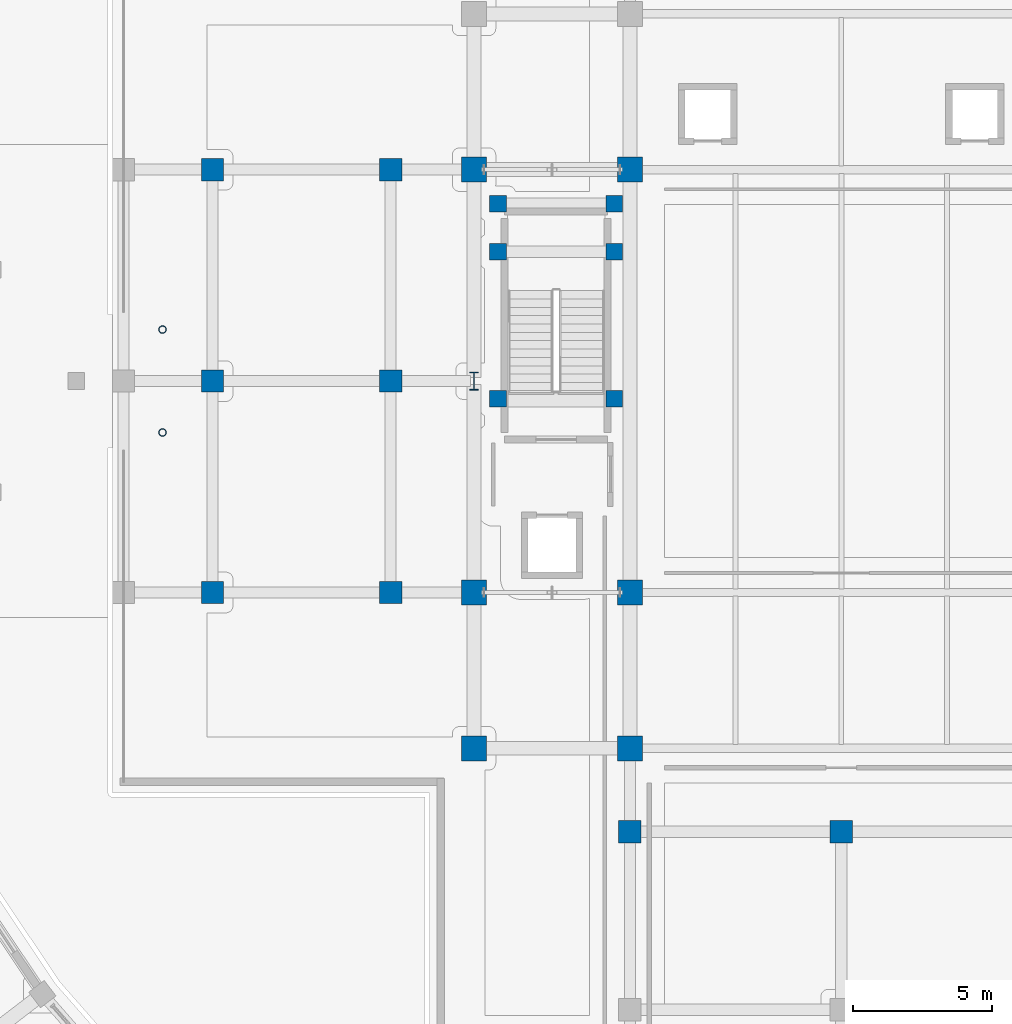
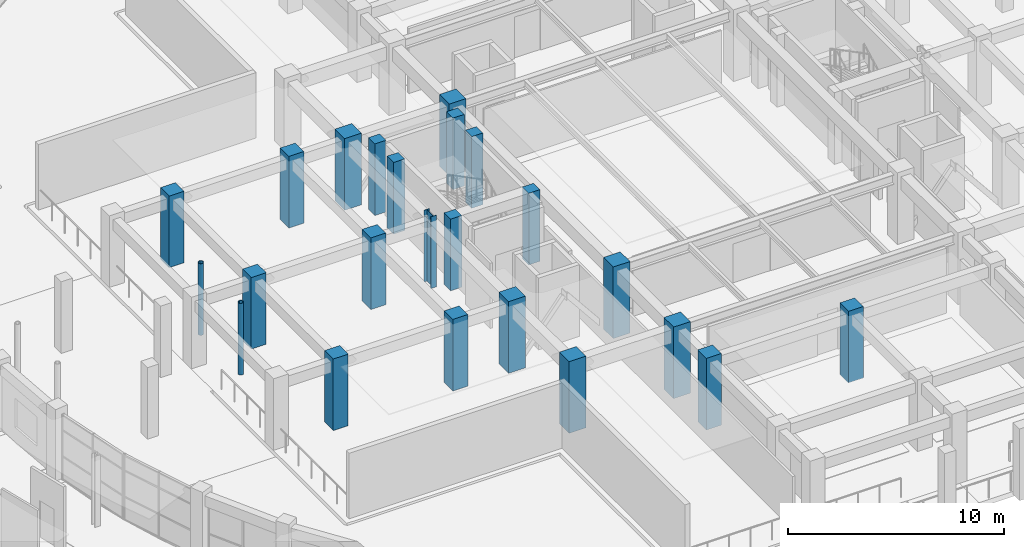
# One storey, part 5 of 87: 23 columns.
"""IFC4 building model written with IfcOpenShell, lengths in metres."""

import ifcopenshell
import ifcopenshell.guid

model = None  # the IFC model being written
_history = None  # IfcOwnerHistory: only IFC2X3 demands one
_inside = {}  # id of a spatial element -> (the spatial element, [elements in it])
_under = {}  # id of a project, library or spatial element -> (it, [spatial elements below it])
_declared = {}  # id of a project -> (the project, [libraries it declares])
_typed = {}  # id of a type object -> (the type object, [elements of that type])
_made_of = {}  # id of a material, layer set ... -> (it, [elements and type objects made of it])


def new_model(schema):
    """Start an empty IFC model of exactly this schema.

    Asked for "IFC4X3", IfcOpenShell would pick the latest addendum, in which some entities
    have other attributes; the version numbers below select the first issue.
    IFC2X3 requires an IfcOwnerHistory on every rooted entity: one is made here for all.
    """
    global model, _history
    if schema == "IFC4X3":
        model = ifcopenshell.file(schema_version=(4, 3, 0, 0))
    else:
        model = ifcopenshell.file(schema=schema)
    _inside.clear()
    _under.clear()
    _declared.clear()
    _typed.clear()
    _made_of.clear()
    _history = None
    if model.schema == "IFC2X3":
        org = make("IfcOrganization", Name="unknown")
        user = make(
            "IfcPersonAndOrganization",
            ThePerson=make("IfcPerson", FamilyName="unknown"),
            TheOrganization=org,
        )
        app = make(
            "IfcApplication",
            ApplicationDeveloper=org,
            Version="unknown",
            ApplicationFullName="unknown",
            ApplicationIdentifier="unknown",
        )
        _history = make(
            "IfcOwnerHistory",
            OwningUser=user,
            OwningApplication=app,
            ChangeAction="ADDED",
            CreationDate=0,
        )
    return model


def make(cls, **values):
    """One entity of the class cls with the attributes given. An attribute that is None is left unset."""
    return model.create_entity(
        cls, **{name: value for name, value in values.items() if value is not None}
    )


def rooted(cls, **values):
    """An entity with a GlobalId (a new one), such as an element, a storey or a relation."""
    return make(cls, GlobalId=ifcopenshell.guid.new(), OwnerHistory=_history, **values)


def si_unit(unit_type, name, prefix=None):
    """IfcSIUnit, for example si_unit("LENGTHUNIT", "METRE", prefix="MILLI")."""
    return make("IfcSIUnit", UnitType=unit_type, Prefix=prefix, Name=name)


def assignment(units):
    """IfcUnitAssignment: the units of a project."""
    return None if units is None else make("IfcUnitAssignment", Units=units)


def point(xyz):
    """IfcCartesianPoint."""
    return None if xyz is None else make("IfcCartesianPoint", Coordinates=xyz)


def direction(xyz):
    """IfcDirection."""
    return None if xyz is None else make("IfcDirection", DirectionRatios=xyz)


def frame(location, z_axis=None, x_axis=None):
    """IfcAxis2Placement3D, a coordinate frame: its origin and axes. An axis left out is left unset."""
    return make(
        "IfcAxis2Placement3D",
        Location=point(location),
        Axis=direction(z_axis),
        RefDirection=direction(x_axis),
    )


def frame_2d(location, x_axis=None):
    """IfcAxis2Placement2D, a coordinate frame in the plane: its origin and x axis."""
    return make(
        "IfcAxis2Placement2D", Location=point(location), RefDirection=direction(x_axis)
    )


def origin():
    """The frame at (0, 0, 0) with its axes left unset."""
    return frame((0.0, 0.0, 0.0))


def origin_2d():
    """The frame at (0, 0) in the plane with its x axis left unset."""
    return frame_2d((0.0, 0.0))


def place(relative_to, where):
    """IfcLocalPlacement: puts the frame where relative to a parent placement (None: the world)."""
    return make(
        "IfcLocalPlacement", PlacementRelTo=relative_to, RelativePlacement=where
    )


def context(
    kind, dimensions, precision=None, world=None, true_north=None, identifier=None
):
    """IfcGeometricRepresentationContext, for example the 3D "Model" context."""
    return make(
        "IfcGeometricRepresentationContext",
        ContextIdentifier=identifier,
        ContextType=kind,
        CoordinateSpaceDimension=dimensions,
        Precision=precision,
        WorldCoordinateSystem=world,
        TrueNorth=true_north,
    )


def subcontext(parent, identifier, kind, view, scale=None):
    """IfcGeometricRepresentationSubContext, for example "Body" below "Model"."""
    return make(
        "IfcGeometricRepresentationSubContext",
        ContextIdentifier=identifier,
        ContextType=kind,
        ParentContext=parent,
        TargetScale=scale,
        TargetView=view,
    )


def project(units=None, contexts=None):
    """IfcProject with its units and contexts."""
    return rooted(
        "IfcProject",
        Name="project",
        RepresentationContexts=contexts,
        UnitsInContext=assignment(units),
    )


def spatial(cls, under=None, at=None, **own):
    """A site, building, storey or space (cls), placed at a placement, below another one or the project."""
    s = rooted(cls, ObjectPlacement=at, **own)
    if under is not None:
        _under.setdefault(under.id(), (under, []))[1].append(s)
    return s


def profile(cls, at=None, kind="AREA", **sizes):
    """A parametric profile (cls). Its sizes go by their IFC names, for example OverallWidth=200.0."""
    return make(cls, ProfileType=kind, Position=at, **sizes)


def rectangle(**sizes):
    """IfcRectangleProfileDef."""
    return profile("IfcRectangleProfileDef", **sizes)


def hollow_circle(**sizes):
    """IfcCircleHollowProfileDef."""
    return profile("IfcCircleHollowProfileDef", **sizes)


def i_section(**sizes):
    """IfcIShapeProfileDef."""
    return profile("IfcIShapeProfileDef", **sizes)


def extrude(swept, where, along, depth):
    """IfcExtrudedAreaSolid: the profile swept, set in the frame where, extruded along a direction by depth."""
    return make(
        "IfcExtrudedAreaSolid",
        SweptArea=swept,
        Position=where,
        ExtrudedDirection=direction(along),
        Depth=depth,
    )


def shape(context_of_items, identifier, shape_type, items):
    """IfcShapeRepresentation: the items that make up one representation, for example the "Body"."""
    return make(
        "IfcShapeRepresentation",
        ContextOfItems=context_of_items,
        RepresentationIdentifier=identifier,
        RepresentationType=shape_type,
        Items=items,
    )


def material(Name=None, Category=None):
    """IfcMaterial."""
    return make("IfcMaterial", Name=Name, Category=Category)


def material_profile(
    of_material, cross_section, Name=None, Category=None, Priority=None
):
    """IfcMaterialProfile: a cross section and its material."""
    return make(
        "IfcMaterialProfile",
        Name=Name,
        Material=of_material,
        Profile=cross_section,
        Priority=Priority,
        Category=Category,
    )


def profile_set(profiles, Name=None, composite=None):
    """IfcMaterialProfileSet."""
    return make(
        "IfcMaterialProfileSet",
        Name=Name,
        MaterialProfiles=profiles,
        CompositeProfile=composite,
    )


def made_of(thing, what):
    """Note that an element or type object is made of a material, layer set ...; save() writes the relation."""
    if what is not None:
        _made_of.setdefault(what.id(), (what, []))[1].append(thing)
    return thing


def type_object(cls, material=None, **own):
    """A type object (cls), such as IfcWallType, which elements share."""
    return made_of(rooted(cls, **own), material)


def element(
    cls,
    number,
    at=None,
    inside=None,
    cuts=None,
    type_object=None,
    material=None,
    context=None,
    identifier="Body",
    shape_type=None,
    held_by="IfcProductDefinitionShape",
    body=None,
    shapes=None,
    **own,
):
    """One element of the class cls, such as IfcWall. Its Tag is "e" and its number.

    at: its placement. inside: the storey or other place that contains it. cuts: it is an
    opening in that element (IfcRelVoidsElement). A single representation is given by context,
    identifier, shape_type and body (its items); several are given by shapes. held_by: the class
    of the entity that holds the representations. save() writes the other relations.
    """
    e = rooted(cls, Tag="e%d" % number, ObjectPlacement=at, **own)
    if body is not None:
        shapes = [shape(context, identifier, shape_type, body)]
    if shapes is not None:
        e.Representation = make(held_by, Representations=shapes)
    if inside is not None:
        _inside.setdefault(inside.id(), (inside, []))[1].append(e)
    if cuts is not None:
        rooted(
            "IfcRelVoidsElement", RelatingBuildingElement=cuts, RelatedOpeningElement=e
        )
    if type_object is not None:
        _typed.setdefault(type_object.id(), (type_object, []))[1].append(e)
    return made_of(e, material)


def aggregate(whole, parts):
    """IfcRelAggregates: a whole, such as a stair, and the parts it consists of."""
    return rooted("IfcRelAggregates", RelatingObject=whole, RelatedObjects=parts)


def save(model, path):
    """Write the relations noted so far, then the file.

    IfcRelAggregates (storeys below a building ...), IfcRelContainedInSpatialStructure (elements
    in a storey), IfcRelDefinesByType, IfcRelAssociatesMaterial and IfcRelDeclares: one each for
    every whole, place, type object, material and project.
    """
    for whole, parts in _under.values():
        aggregate(whole, parts)
    for where, things in _inside.values():
        rooted(
            "IfcRelContainedInSpatialStructure",
            RelatedElements=things,
            RelatingStructure=where,
        )
    for kind, things in _typed.values():
        rooted("IfcRelDefinesByType", RelatedObjects=things, RelatingType=kind)
    for what, things in _made_of.values():
        rooted("IfcRelAssociatesMaterial", RelatedObjects=things, RelatingMaterial=what)
    for by, libraries in _declared.values():
        rooted("IfcRelDeclares", RelatingContext=by, RelatedDefinitions=libraries)
    model.write(path)


model = new_model("IFC4")

# Units and contexts
model_context = context("Model", 3, precision=1e-05, world=origin(), true_north=direction((0.0, 1.0)))
body_context = subcontext(model_context, "Body", "Model", "MODEL_VIEW")
ifc_project = project(units=[si_unit("LENGTHUNIT", "METRE"), si_unit("AREAUNIT", "SQUARE_METRE"), si_unit("VOLUMEUNIT", "CUBIC_METRE"), si_unit("PLANEANGLEUNIT", "RADIAN"), si_unit("MASSUNIT", "GRAM", prefix="KILO")], contexts=[model_context])

# Site, building, storey
site_placement = place(None, origin())
site = spatial("IfcSite", under=ifc_project, at=site_placement, CompositionType="ELEMENT")
building_placement = place(site_placement, origin())
building = spatial("IfcBuilding", under=site, at=building_placement, Name="Saryqyr Civic Hall", CompositionType="ELEMENT")
storey_placement = place(building_placement, frame((0.0, 0.0, 5.10009765625)))
storey = spatial("IfcBuildingStorey", under=building, at=storey_placement, Name="L01", CompositionType="ELEMENT", Elevation=5.10009765625)

# Columns
ifc_material_1 = material(Name="Steel S355", Category="steel")
ifc_material_profile_1 = material_profile(ifc_material_1, hollow_circle(Radius=0.136474609375, WallThickness=0.01611328125, at=origin_2d()), Name="CHS 273x16")
ifc_profile_set_1 = profile_set([ifc_material_profile_1], Name="Steel S355")
column_type_1 = type_object("IfcColumnType", Name="STR-COL-CHS273-S355", PredefinedType="COLUMN", material=ifc_profile_set_1)
for number, where, z_axis, x_axis, name in (
    (1, (32.60009765625, 82.14990234375, 0.0), (0.0, 0.0, 1.0), (1.0, 0.0, 0.0), "Column BRCOL-BR-CW-2-L01"),
    (2, (32.60009765625, 85.85009765625, 0.0), (0.0, 0.0, 1.0), (1.0, 0.0, 0.0), "Column BRCOL-BR-CW-3-L01"),
):
    element("IfcColumn", number, at=place(storey_placement, frame(where, z_axis=z_axis, x_axis=x_axis)), inside=storey, type_object=column_type_1, Name=name, PredefinedType="COLUMN", context=body_context, shape_type="SweptSolid", body=[
        extrude(hollow_circle(Radius=0.136474609375, WallThickness=0.01611328125, at=origin_2d()), origin(), (0.0, 0.0, 1.0), 4.0498046875),
    ])
ifc_material_profile_2 = material_profile(ifc_material_1, i_section(OverallWidth=0.300048828125, OverallDepth=0.64990234375, WebThickness=0.01611328125, FlangeThickness=0.031005859375, at=origin_2d()), Name="HEB 650")
ifc_profile_set_2 = profile_set([ifc_material_profile_2], Name="Steel S355")
column_type_2 = type_object("IfcColumnType", Name="STR-COL-HEB650-S355", PredefinedType="COLUMN", material=ifc_profile_set_2)
column_placement = place(storey_placement, frame((43.800048828125, 84.0, 0.0), z_axis=(0.0, 0.0, 1.0), x_axis=(1.0, 0.0, 0.0)))
element("IfcColumn", 3, at=column_placement, inside=storey, type_object=column_type_2, Name="Column V1-GCOL-W-L01", PredefinedType="COLUMN", context=body_context, shape_type="SweptSolid", body=[
    extrude(i_section(OverallWidth=0.300048828125, OverallDepth=0.64990234375, WebThickness=0.01611328125, FlangeThickness=0.031005859375, at=origin_2d()), origin(), (0.0, 0.0, 1.0), 4.0498046875),
])
ifc_material_2 = material(Name="Concrete C40/50", Category="concrete")
ifc_material_profile_3 = material_profile(ifc_material_2, rectangle(XDim=0.60009765625, YDim=0.60009765625, at=origin_2d()), Name="RC 600x600")
ifc_profile_set_3 = profile_set([ifc_material_profile_3], Name="Concrete C40/50")
column_type_3 = type_object("IfcColumnType", Name="STR-COL-RC600-C40", PredefinedType="COLUMN", material=ifc_profile_set_3)
for number, where, z_axis, x_axis, name in (
    (4, (48.840087890625, 83.364990234375, 0.0), (0.0, 0.0, 1.0), (1.0, 0.0, 0.0), "Column ST-1-SCOL-TRMA-L01"),
    (5, (44.659912109375, 83.364990234375, 0.0), (0.0, 0.0, 1.0), (1.0, 0.0, 0.0), "Column ST-1-SCOL-TRMB-L01"),
    (6, (48.840087890625, 88.64990234375, 0.0), (0.0, 0.0, 1.0), (1.0, 0.0, 0.0), "Column ST-1-SCOL-LND1A-L01"),
    (7, (44.659912109375, 88.64990234375, 0.0), (0.0, 0.0, 1.0), (1.0, 0.0, 0.0), "Column ST-1-SCOL-LND1B-L01"),
    (8, (48.840087890625, 90.3798828125, 0.0), (0.0, 0.0, 1.0), (1.0, 0.0, 0.0), "Column ST-1-SCOL-LND2A-L01"),
    (9, (44.659912109375, 90.3798828125, 0.0), (0.0, 0.0, 1.0), (1.0, 0.0, 0.0), "Column ST-1-SCOL-LND2B-L01"),
):
    element("IfcColumn", number, at=place(storey_placement, frame(where, z_axis=z_axis, x_axis=x_axis)), inside=storey, type_object=column_type_3, Name=name, PredefinedType="COLUMN", context=body_context, shape_type="SweptSolid", body=[
        extrude(rectangle(XDim=0.60009765625, YDim=0.60009765625, at=origin_2d()), origin(), (0.0, 0.0, 1.0), 4.0498046875),
    ])
ifc_material_profile_4 = material_profile(ifc_material_2, rectangle(XDim=0.800048828125, YDim=0.800048828125, at=origin_2d()), Name="RC 800x800")
ifc_profile_set_4 = profile_set([ifc_material_profile_4], Name="Concrete C40/50")
column_type_4 = type_object("IfcColumnType", Name="STR-COL-RC800-C40", PredefinedType="COLUMN", material=ifc_profile_set_4)
for number, where, z_axis, x_axis, name in (
    (10, (40.800048828125, 76.39990234375, 0.0), (0.0, 0.0, 1.0), (1.0, 0.0, 0.0), "Column V1-COL-S3P01-L01"),
    (11, (40.800048828125, 84.0, 0.0), (0.0, 0.0, 1.0), (1.0, 0.0, 0.0), "Column V1-COL-S3P02-L01"),
    (12, (40.800048828125, 91.60009765625, 0.0), (0.0, 0.0, 1.0), (1.0, 0.0, 0.0), "Column V1-COL-S3P03-L01"),
    (13, (49.39990234375, 67.800048828125, 0.0), (0.0, 0.0, 1.0), (1.0, 0.0, 0.0), "Column V1-COL-S3P07-L01"),
    (14, (57.0, 67.800048828125, 0.0), (0.0, 0.0, 1.0), (1.0, 0.0, 0.0), "Column V1-COL-S3P08-L01"),
    (15, (34.39990234375, 76.39990234375, 0.0), (0.0, 0.0, 1.0), (1.0, 0.0, 0.0), "Column V1-COL-S1P01-L01"),
    (16, (34.39990234375, 84.0, 0.0), (0.0, 0.0, 1.0), (1.0, 0.0, 0.0), "Column V1-COL-S1P02-L01"),
    (17, (34.39990234375, 91.60009765625, 0.0), (0.0, 0.0, 1.0), (1.0, 0.0, 0.0), "Column V1-COL-S1P03-L01"),
):
    element("IfcColumn", number, at=place(storey_placement, frame(where, z_axis=z_axis, x_axis=x_axis)), inside=storey, type_object=column_type_4, Name=name, PredefinedType="COLUMN", context=body_context, shape_type="SweptSolid", body=[
        extrude(rectangle(XDim=0.800048828125, YDim=0.800048828125, at=origin_2d()), origin(), (0.0, 0.0, 1.0), 4.0498046875),
    ])
ifc_material_profile_5 = material_profile(ifc_material_2, rectangle(XDim=0.89990234375, YDim=0.89990234375, at=origin_2d()), Name="RC 900x900")
ifc_profile_set_5 = profile_set([ifc_material_profile_5], Name="Concrete C40/50")
column_type_5 = type_object("IfcColumnType", Name="STR-COL-RC900-C40", PredefinedType="COLUMN", material=ifc_profile_set_5)
for number, where, z_axis, x_axis, name in (
    (18, (43.800048828125, 70.800048828125, 0.0), (0.0, 0.0, 1.0), (1.0, 0.0, 0.0), "Column V1-COL-C11-L01"),
    (19, (43.800048828125, 76.39990234375, 0.0), (0.0, 0.0, 1.0), (1.0, 0.0, 0.0), "Column V1-COL-C12-L01"),
    (20, (43.800048828125, 91.60009765625, 0.0), (0.0, 0.0, 1.0), (1.0, 0.0, 0.0), "Column V1-COL-C13-L01"),
    (21, (49.39990234375, 70.800048828125, 0.0), (0.0, 0.0, 1.0), (1.0, 0.0, 0.0), "Column V1-COL-C21-L01"),
    (22, (49.39990234375, 76.39990234375, 0.0), (0.0, 0.0, 1.0), (1.0, 0.0, 0.0), "Column V1-COL-C22-L01"),
    (23, (49.39990234375, 91.60009765625, 0.0), (0.0, 0.0, 1.0), (1.0, 0.0, 0.0), "Column V1-COL-C23-L01"),
):
    element("IfcColumn", number, at=place(storey_placement, frame(where, z_axis=z_axis, x_axis=x_axis)), inside=storey, type_object=column_type_5, Name=name, PredefinedType="COLUMN", context=body_context, shape_type="SweptSolid", body=[
        extrude(rectangle(XDim=0.89990234375, YDim=0.89990234375, at=origin_2d()), origin(), (0.0, 0.0, 1.0), 4.0498046875),
    ])

save(model, "model.ifc")
